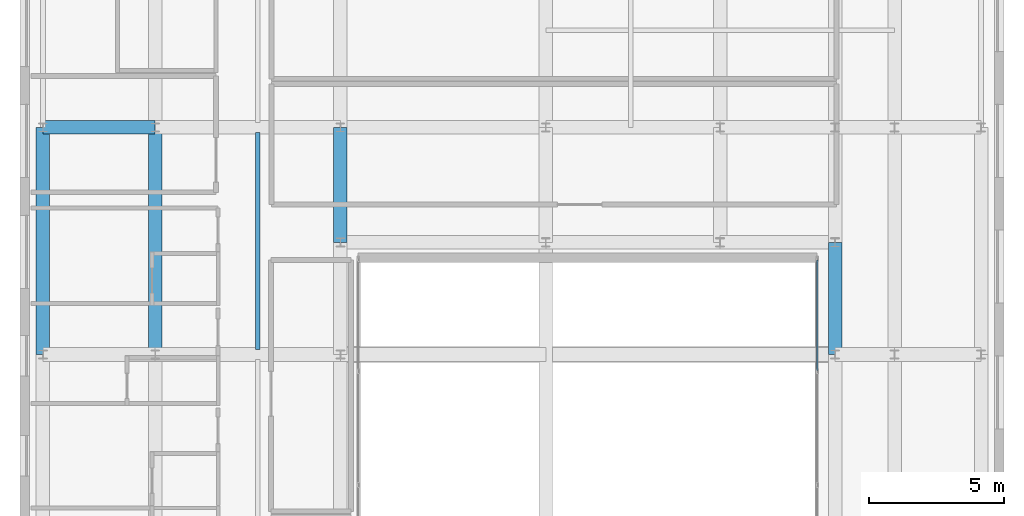
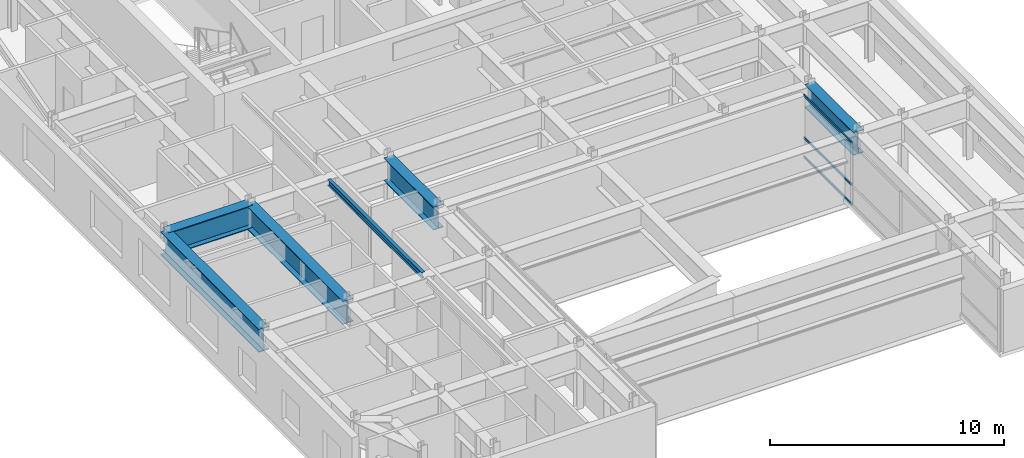
# One storey, part 11 of 21: 6 beams, 3 members, 1 element without a shape of its own.
"""IFC4 building model written with IfcOpenShell, lengths in metres."""

from ifc_helpers import new_model, si_unit, direction, frame, origin, origin_2d, place, context, subcontext, project, spatial, hollow_rectangle, i_section, extrude, source, transform, mapped, material, layer, layer_set, material_profile, profile_set, type_object, type_shapes, element, aggregate, save


model = new_model("IFC4")

# Units and contexts
model_context = context("Model", 3, precision=1e-05, world=origin(), true_north=direction((0.0, 1.0)))
body_context = subcontext(model_context, "Body", "Model", "MODEL_VIEW")
ifc_project = project(units=[si_unit("LENGTHUNIT", "METRE"), si_unit("AREAUNIT", "SQUARE_METRE"), si_unit("VOLUMEUNIT", "CUBIC_METRE"), si_unit("PLANEANGLEUNIT", "RADIAN"), si_unit("MASSUNIT", "GRAM", prefix="KILO")], contexts=[model_context])

# Site, building, storey
site_placement = place(None, origin())
site = spatial("IfcSite", under=ifc_project, at=site_placement, CompositionType="ELEMENT")
building_placement = place(site_placement, origin())
building = spatial("IfcBuilding", under=site, at=building_placement, Name="Tolvann Quenvar Hotel", CompositionType="ELEMENT")
storey_placement = place(building_placement, frame((0.0, 0.0, 266.5)))
storey = spatial("IfcBuildingStorey", under=building, at=storey_placement, Name="L71", CompositionType="ELEMENT", Elevation=266.5)

# Beams
ifc_material_1 = material(Name="Steel Grade 350", Category="steel")
ifc_material_profile_1 = material_profile(ifc_material_1, i_section(OverallWidth=0.5, OverallDepth=1.199951171875, WebThickness=0.01611328125, FlangeThickness=0.0400390625, at=origin_2d()), Name="1200WB455")
ifc_profile_set_1 = profile_set([ifc_material_profile_1], Name="Steel Grade 350")
beam_type_1 = type_object("IfcBeamType", Name="BM_TG_1200WB455", PredefinedType="USERDEFINED", material=ifc_profile_set_1)
shared_shape_1 = source(origin(), body_context, "Body", "SweptSolid", [
    extrude(i_section(OverallWidth=0.5, OverallDepth=1.199951171875, WebThickness=0.01611328125, FlangeThickness=0.0400390625, at=origin_2d()), origin(), (0.0, 0.0, 1.0), 4.150146484375),
])
beam_1_placement = place(storey_placement, frame((3.449951171875, 24.39990234375, 2.64990234375), z_axis=(1.0, 0.0, 0.0), x_axis=(0.0, 1.0, 0.0)))
element("IfcBeam", 1, at=beam_1_placement, inside=storey, type_object=beam_type_1, Name="BM-L71-EW-5-B5-C5", ObjectType="TRANSFER GIRDER", PredefinedType="USERDEFINED", context=body_context, shape_type="MappedRepresentation", body=[
    mapped(shared_shape_1, transform((0.0, 0.0, 0.0), x_axis=(1.0, 0.0, 0.0), y_axis=(0.0, 1.0, 0.0), z_axis=(0.0, 0.0, 1.0), scale=1.0)),
])
shared_shape_2 = source(origin(), body_context, "Body", "SweptSolid", [
    extrude(i_section(OverallWidth=0.5, OverallDepth=1.199951171875, WebThickness=0.01611328125, FlangeThickness=0.0400390625, at=origin_2d()), origin(), (0.0, 0.0, 1.0), 8.39990234375),
])
for number, where, z_axis, x_axis, name in (
    (2, (3.449951171875, 16.0, 2.64990234375), (0.0, 1.0, 0.0), (-1.0, 0.0, 0.0), "BM-L71-NS-B4-B5"),
    (3, (7.60009765625, 16.0, 2.64990234375), (0.0, 1.0, 0.0), (-1.0, 0.0, 0.0), "BM-L71-NS-C4-C5"),
):
    element("IfcBeam", number, at=place(storey_placement, frame(where, z_axis=z_axis, x_axis=x_axis)), inside=storey, type_object=beam_type_1, Name=name, ObjectType="TRANSFER GIRDER", PredefinedType="USERDEFINED", context=body_context, shape_type="MappedRepresentation", body=[
        mapped(shared_shape_2, transform((0.0, 0.0, 0.0), x_axis=(1.0, 0.0, 0.0), y_axis=(0.0, 1.0, 0.0), z_axis=(0.0, 0.0, 1.0), scale=1.0)),
    ])
shared_shape_3 = source(origin(), body_context, "Body", "SweptSolid", [
    extrude(i_section(OverallWidth=0.5, OverallDepth=1.199951171875, WebThickness=0.01611328125, FlangeThickness=0.0400390625, at=origin_2d()), origin(), (0.0, 0.0, 1.0), 4.25),
])
beam_2_placement = place(storey_placement, frame((14.449951171875, 20.14990234375, 2.64990234375), z_axis=(0.0, 1.0, 0.0), x_axis=(-1.0, 0.0, 0.0)))
element("IfcBeam", 4, at=beam_2_placement, inside=storey, type_object=beam_type_1, Name="TG-L71-NS-D5", ObjectType="TRANSFER GIRDER", PredefinedType="USERDEFINED", context=body_context, shape_type="MappedRepresentation", body=[
    mapped(shared_shape_3, transform((0.0, 0.0, 0.0), x_axis=(1.0, 0.0, 0.0), y_axis=(0.0, 1.0, 0.0), z_axis=(0.0, 0.0, 1.0), scale=1.0)),
])
shared_shape_4 = source(origin(), body_context, "Body", "SweptSolid", [
    extrude(i_section(OverallWidth=0.5, OverallDepth=1.199951171875, WebThickness=0.01611328125, FlangeThickness=0.0400390625, at=origin_2d()), origin(), (0.0, 0.0, 1.0), 4.14990234375),
])
type_shapes(beam_type_1, [shared_shape_1, shared_shape_2, shared_shape_3, shared_shape_4])
beam_3_placement = place(storey_placement, frame((32.75, 16.0, 2.64990234375), z_axis=(0.0, 1.0, 0.0), x_axis=(-1.0, 0.0, 0.0)))
element("IfcBeam", 5, at=beam_3_placement, inside=storey, type_object=beam_type_1, Name="TG-L71-NS-FP4", ObjectType="TRANSFER GIRDER", PredefinedType="USERDEFINED", context=body_context, shape_type="MappedRepresentation", body=[
    mapped(shared_shape_4, transform((0.0, 0.0, 0.0), x_axis=(1.0, 0.0, 0.0), y_axis=(0.0, 1.0, 0.0), z_axis=(0.0, 0.0, 1.0), scale=1.0)),
])
ifc_material_profile_2 = material_profile(ifc_material_1, i_section(OverallWidth=0.166015625, OverallDepth=0.306884765625, WebThickness=0.006591796875, FlangeThickness=0.01171875, FilletRadius=0.011474609375, at=origin_2d()), Name="310UB46")
ifc_profile_set_2 = profile_set([ifc_material_profile_2], Name="Steel Grade 350")
beam_type_2 = type_object("IfcBeamType", Name="BM_JOIST_310UB46", PredefinedType="JOIST", material=ifc_profile_set_2)
shared_shape_5 = source(origin(), body_context, "Body", "SweptSolid", [
    extrude(i_section(OverallWidth=0.166015625, OverallDepth=0.306884765625, WebThickness=0.006591796875, FlangeThickness=0.01171875, FilletRadius=0.011474609375, at=origin_2d()), origin(), (0.0, 0.0, 1.0), 8.030029296875),
])
type_shapes(beam_type_2, [shared_shape_5])
beam_4_placement = place(storey_placement, frame((11.39990234375, 16.18505859375, 3.096435546875), z_axis=(0.0, 1.0, 0.0), x_axis=(-1.0, 0.0, 0.0)))
element("IfcBeam", 6, at=beam_4_placement, inside=storey, type_object=beam_type_2, Name="BJ-L71-114-160", PredefinedType="JOIST", context=body_context, shape_type="MappedRepresentation", body=[
    mapped(shared_shape_5, transform((0.0, 0.0, 0.0), x_axis=(1.0, 0.0, 0.0), y_axis=(0.0, 1.0, 0.0), z_axis=(0.0, 0.0, 1.0), scale=1.0)),
])

# Curtain wall, members
ifc_material_2 = material(Name="Thermally broken anodised architectural aluminium 6063-T6 and laminated low-E glass", Category="aluminium")
ifc_layer = layer(ifc_material_2, 0.179931640625)
ifc_layer_set = layer_set([ifc_layer], Name="Thermally broken anodised architectural aluminium 6063-T6 and laminated low-E glass")
curtain_wall_type = type_object("IfcCurtainWallType", Name="CW_SYS_PORTAL_05", PredefinedType="USERDEFINED", material=ifc_layer_set)
curtain_wall_placement = place(storey_placement, origin())
curtain_wall = element("IfcCurtainWall", 7, at=curtain_wall_placement, inside=storey, type_object=curtain_wall_type, Name="Curtain Wall CW-PORTAL-05 (CWR-L71-E07)", ObjectType="UNITISED CURTAIN WALL", PredefinedType="USERDEFINED")
ifc_material_3 = material(Name="Anodised architectural aluminium 6063-T6 framing", Category="aluminium")
ifc_material_profile_3 = material_profile(ifc_material_3, hollow_rectangle(XDim=0.06005859375, YDim=0.1201171875, WallThickness=0.00341796875, at=origin_2d()), Name="120x60x3.5RHS")
ifc_profile_set_3 = profile_set([ifc_material_profile_3], Name="Anodised architectural aluminium 6063-T6 framing")
member_type = type_object("IfcMemberType", Name="CW_TRAN_120x60", PredefinedType="USERDEFINED", material=ifc_profile_set_3)
shared_shape_6 = source(origin(), body_context, "Body", "SweptSolid", [
    extrude(hollow_rectangle(XDim=0.06005859375, YDim=0.1201171875, WallThickness=0.00341796875, at=origin_2d()), origin(), (0.0, 0.0, 1.0), 4.094970703125),
])
type_shapes(member_type, [shared_shape_6])
member_1_placement = place(storey_placement, frame((32.090087890625, 19.5048828125, 0.030029296875), z_axis=(0.0, -1.0, 0.0), x_axis=(1.0, 0.0, 0.0)))
member_1 = element("IfcMember", 8, at=member_1_placement, type_object=member_type, Name="CW-PORTAL-05 transom 1.1", ObjectType="TRANSOM", PredefinedType="USERDEFINED", context=body_context, shape_type="MappedRepresentation", body=[
    mapped(shared_shape_6, transform((0.0, 0.0, 0.0), x_axis=(1.0, 0.0, 0.0), y_axis=(0.0, 1.0, 0.0), z_axis=(0.0, 0.0, 1.0), scale=1.0)),
])
member_2_placement = place(storey_placement, frame((32.090087890625, 19.5048828125, 1.0400390625), z_axis=(0.0, -1.0, 0.0), x_axis=(1.0, 0.0, 0.0)))
member_2 = element("IfcMember", 9, at=member_2_placement, type_object=member_type, Name="CW-PORTAL-05 transom 1.2", ObjectType="TRANSOM", PredefinedType="USERDEFINED", context=body_context, shape_type="MappedRepresentation", body=[
    mapped(shared_shape_6, transform((0.0, 0.0, 0.0), x_axis=(1.0, 0.0, 0.0), y_axis=(0.0, 1.0, 0.0), z_axis=(0.0, 0.0, 1.0), scale=1.0)),
])
member_3_placement = place(storey_placement, frame((32.090087890625, 19.5048828125, 3.219970703125), z_axis=(0.0, -1.0, 0.0), x_axis=(1.0, 0.0, 0.0)))
member_3 = element("IfcMember", 10, at=member_3_placement, type_object=member_type, Name="CW-PORTAL-05 transom 1.3", ObjectType="TRANSOM", PredefinedType="USERDEFINED", context=body_context, shape_type="MappedRepresentation", body=[
    mapped(shared_shape_6, transform((0.0, 0.0, 0.0), x_axis=(1.0, 0.0, 0.0), y_axis=(0.0, 1.0, 0.0), z_axis=(0.0, 0.0, 1.0), scale=1.0)),
])
aggregate(curtain_wall, [member_1, member_2, member_3])

save(model, "model.ifc")
